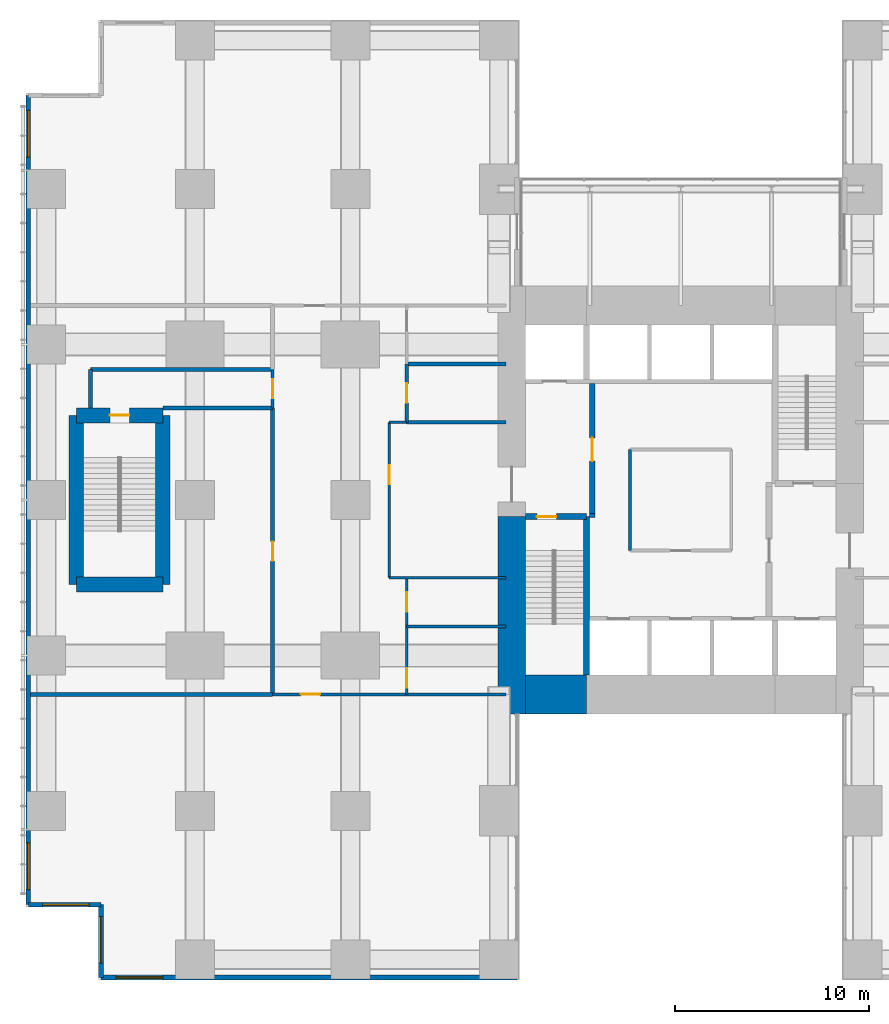
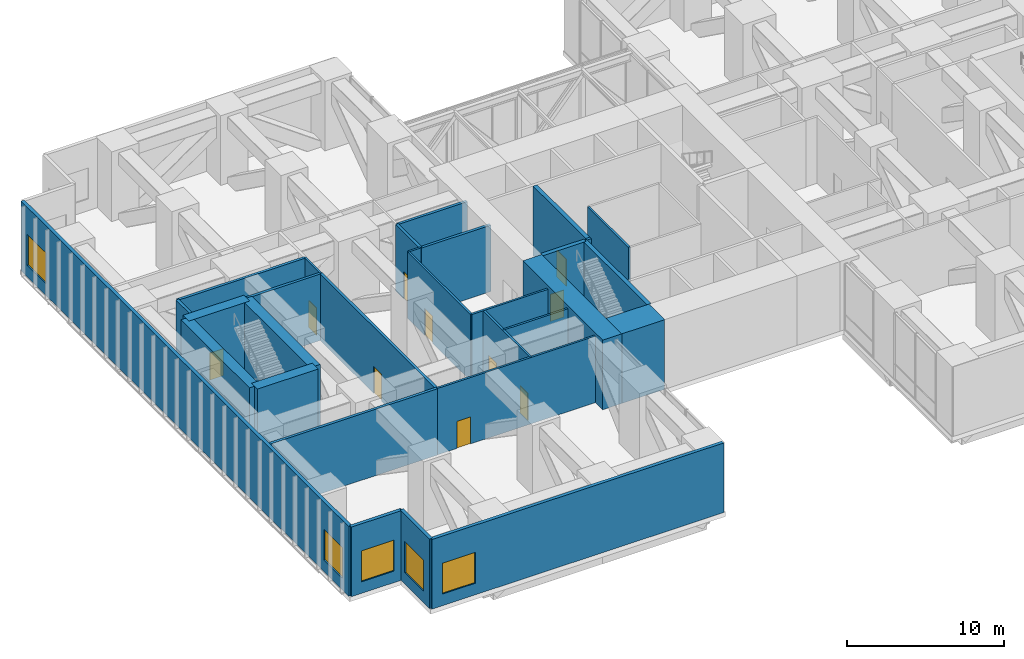
# One storey, part 13 of 17: 30 walls, 10 doors, 5 windows, 15 openings.
"""IFC4 building model written with IfcOpenShell, lengths in metres."""

from ifc_helpers import new_model, si_unit, direction, frame, frame_2d, origin, place, context, subcontext, project, spatial, rectangle, extrude, material, layer, layer_set, type_object, element, fill, save


model = new_model("IFC4")

# Units and contexts
model_context = context("Model", 3, precision=1e-05, world=origin(), true_north=direction((0.0, 1.0)))
body_context = subcontext(model_context, "Body", "Model", "MODEL_VIEW")
ifc_project = project(units=[si_unit("LENGTHUNIT", "METRE"), si_unit("AREAUNIT", "SQUARE_METRE"), si_unit("VOLUMEUNIT", "CUBIC_METRE"), si_unit("PLANEANGLEUNIT", "RADIAN"), si_unit("MASSUNIT", "GRAM", prefix="KILO")], contexts=[model_context])

# Site, building, storey
site_placement = place(None, origin())
site = spatial("IfcSite", under=ifc_project, at=site_placement, CompositionType="ELEMENT")
building_placement = place(site_placement, origin())
building = spatial("IfcBuilding", under=site, at=building_placement, Name="Cleftline Residences", CompositionType="ELEMENT")
storey_placement = place(building_placement, frame((0.0, 0.0, 90.800048828125)))
storey = spatial("IfcBuildingStorey", under=building, at=storey_placement, Name="L23", CompositionType="ELEMENT", Elevation=90.800048828125)

# Walls
ifc_material_1 = material(Name="Concrete B70", Category="concrete")
ifc_layer_1 = layer(ifc_material_1, 1.39990234375)
ifc_layer_set_1 = layer_set([ifc_layer_1], Name="CORE WALL 1400")
wall_type_1 = type_object("IfcWallType", Name="CORE WALL 1400", PredefinedType="SHEAR", material=ifc_layer_set_1)
wall_1_placement = place(storey_placement, frame((24.300048828125, 13.0, 0.0), z_axis=(0.0, 0.0, 1.0), x_axis=(0.0, 1.0, 0.0)))
element("IfcWall", 1, at=wall_1_placement, inside=storey, type_object=wall_type_1, Name="Core wall W0", PredefinedType="SHEAR", context=body_context, shape_type="SweptSolid", body=[
    extrude(rectangle(XDim=10.14990234375, YDim=1.39990234375, at=frame_2d((5.074951171875, 0.0))), origin(), (0.0, 0.0, 1.0), 5.39990234375),
])
ifc_material_2 = material(Name="Concrete B70", Category="concrete")
ifc_layer_2 = layer(ifc_material_2, 2.0)
ifc_layer_set_2 = layer_set([ifc_layer_2], Name="CORE WALL 2000")
wall_type_2 = type_object("IfcWallType", Name="CORE WALL 2000", PredefinedType="SHEAR", material=ifc_layer_set_2)
wall_2_placement = place(storey_placement, frame((25.0, 14.0, 0.0), z_axis=(0.0, 0.0, 1.0), x_axis=(1.0, 0.0, 0.0)))
element("IfcWall", 2, at=wall_2_placement, inside=storey, type_object=wall_type_2, Name="Core wall S1", PredefinedType="SHEAR", context=body_context, shape_type="SweptSolid", body=[
    extrude(rectangle(XDim=3.14990234375, YDim=2.0, at=frame_2d((1.574951171875, 0.0))), origin(), (0.0, 0.0, 1.0), 5.39990234375),
])
ifc_material_3 = material(Name="Concrete B70", Category="concrete")
ifc_layer_3 = layer(ifc_material_3, 0.300048828125)
ifc_layer_set_3 = layer_set([ifc_layer_3], Name="CORE WALL 300")
wall_type_3 = type_object("IfcWallType", Name="CORE WALL 300", PredefinedType="SHEAR", material=ifc_layer_set_3)
wall_3_placement = place(storey_placement, frame((28.14990234375, 15.0, 0.0), z_axis=(0.0, 0.0, 1.0), x_axis=(0.0, 1.0, 0.0)))
element("IfcWall", 3, at=wall_3_placement, inside=storey, type_object=wall_type_3, Name="Core wall SA-E", PredefinedType="SHEAR", context=body_context, shape_type="SweptSolid", body=[
    extrude(rectangle(XDim=8.14990234375, YDim=0.300048828125, at=frame_2d((4.074951171875, 0.0))), origin(), (0.0, 0.0, 1.0), 5.39990234375),
])

# Wall, opening, door
wall_4_placement = place(storey_placement, frame((25.0, 23.14990234375, 0.0), z_axis=(0.0, 0.0, 1.0), x_axis=(1.0, 0.0, 0.0)))
wall_4 = element("IfcWall", 4, at=wall_4_placement, inside=storey, type_object=wall_type_3, Name="Core wall SA-N", PredefinedType="SHEAR", context=body_context, shape_type="SweptSolid", body=[
    extrude(rectangle(XDim=3.14990234375, YDim=0.300048828125, at=frame_2d((1.574951171875, 0.0))), origin(), (0.0, 0.0, 1.0), 5.39990234375),
])
opening_1_placement = place(wall_4_placement, frame((0.60009765625, 0.0, 0.0)))
opening_1 = element("IfcOpeningElement", 5, at=opening_1_placement, cuts=wall_4, Name="Opening D5", PredefinedType="OPENING", context=body_context, shape_type="SweptSolid", body=[
    extrude(rectangle(XDim=1.0, YDim=2.10009765625, at=frame_2d((0.5, 1.050048828125))), frame((0.0, 0.159912109375, 0.0), z_axis=(0.0, -1.0, 0.0), x_axis=(1.0, 0.0, 0.0)), (0.0, 0.0, 1.0), 0.320068359375),
])
ifc_material_4 = material(Name="Steel", Category="steel")
door_type_1 = type_object("IfcDoorType", Name="STAIR DOOR 1000X2100", OperationType="SINGLE_SWING_LEFT", PredefinedType="DOOR", material=ifc_material_4)
door_1_placement = place(opening_1_placement, origin())
door_1 = element("IfcDoor", 6, at=door_1_placement, inside=storey, type_object=door_type_1, Name="Stair A door", OperationType="SINGLE_SWING_RIGHT", OverallHeight=2.10009765625, OverallWidth=1.0, PredefinedType="DOOR", context=body_context, shape_type="SweptSolid", body=[
    extrude(rectangle(XDim=1.0, YDim=2.10009765625, at=frame_2d((0.5, 1.050048828125))), frame((0.0, 0.02490234375, 0.0), z_axis=(0.0, -1.0, 0.0), x_axis=(1.0, 0.0, 0.0)), (0.0, 0.0, 1.0), 0.050048828125),
])
fill(opening_1, door_1)

# Wall, openings, windows
ifc_material_5 = material(Name="Rendered reinforced concrete blockwork", Category="masonry")
ifc_layer_4 = layer(ifc_material_5, 0.25)
ifc_layer_set_4 = layer_set([ifc_layer_4], Name="EXTERNAL WALL 250")
wall_type_4 = type_object("IfcWallType", Name="EXTERNAL WALL 250", PredefinedType="SOLIDWALL", material=ifc_layer_set_4)
wall_5_placement = place(storey_placement, frame((-0.574951171875, 44.824951171875, 0.0), z_axis=(0.0, 0.0, 1.0), x_axis=(0.0, -1.0, 0.0)))
wall_5 = element("IfcWall", 7, at=wall_5_placement, inside=storey, type_object=wall_type_4, Name="External wall", PredefinedType="SOLIDWALL", context=body_context, shape_type="SweptSolid", body=[
    extrude(rectangle(XDim=41.64990234375, YDim=0.25, at=frame_2d((20.824951171875, 0.0))), origin(), (0.0, 0.0, 1.0), 5.39990234375),
])
opening_2_placement = place(wall_5_placement, frame((0.77490234375, 0.0, 0.89990234375)))
opening_2 = element("IfcOpeningElement", 8, at=opening_2_placement, cuts=wall_5, Name="Opening W9", PredefinedType="OPENING", context=body_context, shape_type="SweptSolid", body=[
    extrude(rectangle(XDim=2.39990234375, YDim=2.39990234375, at=frame_2d((1.199951171875, 1.199951171875))), frame((0.0, 0.135009765625, 0.0), z_axis=(0.0, -1.0, 0.0), x_axis=(1.0, 0.0, 0.0)), (0.0, 0.0, 1.0), 0.27001953125),
])
opening_3_placement = place(wall_5_placement, frame((38.47509765625, 0.0, 0.89990234375)))
opening_3 = element("IfcOpeningElement", 9, at=opening_3_placement, cuts=wall_5, Name="Opening W9", PredefinedType="OPENING", context=body_context, shape_type="SweptSolid", body=[
    extrude(rectangle(XDim=2.39990234375, YDim=2.39990234375, at=frame_2d((1.199951171875, 1.199951171875))), frame((0.0, 0.135009765625, 0.0), z_axis=(0.0, -1.0, 0.0), x_axis=(1.0, 0.0, 0.0)), (0.0, 0.0, 1.0), 0.27001953125),
])
ifc_material_6 = material(Name="Aluminium frame, clear double glazing", Category="aluminium")
window_type = type_object("IfcWindowType", Name="WINDOW 2400X2400", PartitioningType="DOUBLE_PANEL_VERTICAL", PredefinedType="WINDOW", material=ifc_material_6)
window_1_placement = place(opening_2_placement, origin())
window_1 = element("IfcWindow", 10, at=window_1_placement, inside=storey, type_object=window_type, Name="Window", OverallHeight=2.39990234375, OverallWidth=2.39990234375, PartitioningType="SINGLE_PANEL", PredefinedType="WINDOW", context=body_context, shape_type="SweptSolid", body=[
    extrude(rectangle(XDim=2.39990234375, YDim=2.39990234375, at=frame_2d((1.199951171875, 1.199951171875))), frame((0.0, 0.030029296875, 0.0), z_axis=(0.0, -1.0, 0.0), x_axis=(1.0, 0.0, 0.0)), (0.0, 0.0, 1.0), 0.06005859375),
])
fill(opening_2, window_1)
window_2_placement = place(opening_3_placement, origin())
window_2 = element("IfcWindow", 11, at=window_2_placement, inside=storey, type_object=window_type, Name="Window", OverallHeight=2.39990234375, OverallWidth=2.39990234375, PartitioningType="SINGLE_PANEL", PredefinedType="WINDOW", context=body_context, shape_type="SweptSolid", body=[
    extrude(rectangle(XDim=2.39990234375, YDim=2.39990234375, at=frame_2d((1.199951171875, 1.199951171875))), frame((0.0, 0.030029296875, 0.0), z_axis=(0.0, -1.0, 0.0), x_axis=(1.0, 0.0, 0.0)), (0.0, 0.0, 1.0), 0.06005859375),
])
fill(opening_3, window_2)

# Wall, opening, window
wall_6_placement = place(storey_placement, frame((-0.574951171875, 3.175048828125, 0.0), z_axis=(0.0, 0.0, 1.0), x_axis=(1.0, 0.0, 0.0)))
wall_6 = element("IfcWall", 12, at=wall_6_placement, inside=storey, type_object=wall_type_4, Name="External wall", PredefinedType="SOLIDWALL", context=body_context, shape_type="SweptSolid", body=[
    extrude(rectangle(XDim=3.75, YDim=0.25, at=frame_2d((1.875, 0.0))), origin(), (0.0, 0.0, 1.0), 5.39990234375),
])
opening_4_placement = place(wall_6_placement, frame((0.737548828125, 0.0, 0.89990234375)))
opening_4 = element("IfcOpeningElement", 13, at=opening_4_placement, cuts=wall_6, Name="Opening W9", PredefinedType="OPENING", context=body_context, shape_type="SweptSolid", body=[
    extrude(rectangle(XDim=2.39990234375, YDim=2.39990234375, at=frame_2d((1.199951171875, 1.199951171875))), frame((0.0, 0.135009765625, 0.0), z_axis=(0.0, -1.0, 0.0), x_axis=(1.0, 0.0, 0.0)), (0.0, 0.0, 1.0), 0.27001953125),
])
window_3_placement = place(opening_4_placement, origin())
window_3 = element("IfcWindow", 14, at=window_3_placement, inside=storey, type_object=window_type, Name="Window", OverallHeight=2.39990234375, OverallWidth=2.39990234375, PartitioningType="SINGLE_PANEL", PredefinedType="WINDOW", context=body_context, shape_type="SweptSolid", body=[
    extrude(rectangle(XDim=2.39990234375, YDim=2.39990234375, at=frame_2d((1.199951171875, 1.199951171875))), frame((0.0, 0.030029296875, 0.0), z_axis=(0.0, -1.0, 0.0), x_axis=(1.0, 0.0, 0.0)), (0.0, 0.0, 1.0), 0.06005859375),
])
fill(opening_4, window_3)

wall_7_placement = place(storey_placement, frame((3.175048828125, 3.175048828125, 0.0), z_axis=(0.0, 0.0, 1.0), x_axis=(0.0, -1.0, 0.0)))
wall_7 = element("IfcWall", 15, at=wall_7_placement, inside=storey, type_object=wall_type_4, Name="External wall", PredefinedType="SOLIDWALL", context=body_context, shape_type="SweptSolid", body=[
    extrude(rectangle(XDim=3.75, YDim=0.25, at=frame_2d((1.875, 0.0))), origin(), (0.0, 0.0, 1.0), 5.39990234375),
])
opening_5_placement = place(wall_7_placement, frame((0.612548828125, 0.0, 0.89990234375)))
opening_5 = element("IfcOpeningElement", 16, at=opening_5_placement, cuts=wall_7, Name="Opening W9", PredefinedType="OPENING", context=body_context, shape_type="SweptSolid", body=[
    extrude(rectangle(XDim=2.39990234375, YDim=2.39990234375, at=frame_2d((1.199951171875, 1.199951171875))), frame((0.0, 0.135009765625, 0.0), z_axis=(0.0, -1.0, 0.0), x_axis=(1.0, 0.0, 0.0)), (0.0, 0.0, 1.0), 0.27001953125),
])
window_4_placement = place(opening_5_placement, origin())
window_4 = element("IfcWindow", 17, at=window_4_placement, inside=storey, type_object=window_type, Name="Window", OverallHeight=2.39990234375, OverallWidth=2.39990234375, PartitioningType="SINGLE_PANEL", PredefinedType="WINDOW", context=body_context, shape_type="SweptSolid", body=[
    extrude(rectangle(XDim=2.39990234375, YDim=2.39990234375, at=frame_2d((1.199951171875, 1.199951171875))), frame((0.0, 0.030029296875, 0.0), z_axis=(0.0, -1.0, 0.0), x_axis=(1.0, 0.0, 0.0)), (0.0, 0.0, 1.0), 0.06005859375),
])
fill(opening_5, window_4)

wall_8_placement = place(storey_placement, frame((3.175048828125, -0.574951171875, 0.0), z_axis=(0.0, 0.0, 1.0), x_axis=(1.0, 0.0, 0.0)))
wall_8 = element("IfcWall", 18, at=wall_8_placement, inside=storey, type_object=wall_type_4, Name="External wall", PredefinedType="SOLIDWALL", context=body_context, shape_type="SweptSolid", body=[
    extrude(rectangle(XDim=21.39990234375, YDim=0.25, at=frame_2d((10.699951171875, 0.0))), origin(), (0.0, 0.0, 1.0), 5.39990234375),
])
opening_6_placement = place(wall_8_placement, frame((0.77490234375, 0.0, 0.89990234375)))
opening_6 = element("IfcOpeningElement", 19, at=opening_6_placement, cuts=wall_8, Name="Opening W9", PredefinedType="OPENING", context=body_context, shape_type="SweptSolid", body=[
    extrude(rectangle(XDim=2.39990234375, YDim=2.39990234375, at=frame_2d((1.199951171875, 1.199951171875))), frame((0.0, 0.135009765625, 0.0), z_axis=(0.0, -1.0, 0.0), x_axis=(1.0, 0.0, 0.0)), (0.0, 0.0, 1.0), 0.27001953125),
])
window_5_placement = place(opening_6_placement, origin())
window_5 = element("IfcWindow", 20, at=window_5_placement, inside=storey, type_object=window_type, Name="Window", OverallHeight=2.39990234375, OverallWidth=2.39990234375, PartitioningType="SINGLE_PANEL", PredefinedType="WINDOW", context=body_context, shape_type="SweptSolid", body=[
    extrude(rectangle(XDim=2.39990234375, YDim=2.39990234375, at=frame_2d((1.199951171875, 1.199951171875))), frame((0.0, 0.030029296875, 0.0), z_axis=(0.0, -1.0, 0.0), x_axis=(1.0, 0.0, 0.0)), (0.0, 0.0, 1.0), 0.06005859375),
])
fill(opening_6, window_5)

# Walls
ifc_material_7 = material(Name="Concrete blockwork, fire rated", Category="masonry")
ifc_layer_5 = layer(ifc_material_7, 0.199951171875)
ifc_layer_set_5 = layer_set([ifc_layer_5], Name="FIRE WALL 200")
wall_type_5 = type_object("IfcWallType", Name="FIRE WALL 200", PredefinedType="PARTITIONING", material=ifc_layer_set_5)
wall_9_placement = place(storey_placement, frame((-0.449951171875, 14.0, 0.0), z_axis=(0.0, 0.0, 1.0), x_axis=(1.0, 0.0, 0.0)))
element("IfcWall", 21, at=wall_9_placement, inside=storey, type_object=wall_type_5, Name="Fire separating wall", PredefinedType="PARTITIONING", context=body_context, shape_type="SweptSolid", body=[
    extrude(rectangle(XDim=12.449951171875, YDim=0.199951171875, at=frame_2d((6.22509765625, 0.0))), origin(), (0.0, 0.0, 1.0), 5.14990234375),
])
wall_10_placement = place(storey_placement, frame((18.89990234375, 28.0, 0.0), z_axis=(0.0, 0.0, 1.0), x_axis=(1.0, 0.0, 0.0)))
element("IfcWall", 22, at=wall_10_placement, inside=storey, type_object=wall_type_5, Name="Fire separating wall", PredefinedType="PARTITIONING", context=body_context, shape_type="SweptSolid", body=[
    extrude(rectangle(XDim=5.10009765625, YDim=0.199951171875, at=frame_2d((2.550048828125, 0.0))), origin(), (0.0, 0.0, 1.0), 5.14990234375),
])
wall_11_placement = place(storey_placement, frame((6.35009765625, 28.72509765625, 0.0), z_axis=(0.0, 0.0, 1.0), x_axis=(1.0, 0.0, 0.0)))
element("IfcWall", 23, at=wall_11_placement, inside=storey, type_object=wall_type_5, Name="Fire separating wall", PredefinedType="PARTITIONING", context=body_context, shape_type="SweptSolid", body=[
    extrude(rectangle(XDim=5.64990234375, YDim=0.199951171875, at=frame_2d((2.824951171875, 0.0))), origin(), (0.0, 0.0, 1.0), 5.14990234375),
])
wall_12_placement = place(storey_placement, frame((2.625, 30.72509765625, 0.0), z_axis=(0.0, 0.0, 1.0), x_axis=(1.0, 0.0, 0.0)))
element("IfcWall", 24, at=wall_12_placement, inside=storey, type_object=wall_type_5, Name="Fire separating wall", PredefinedType="PARTITIONING", context=body_context, shape_type="SweptSolid", body=[
    extrude(rectangle(XDim=9.375, YDim=0.199951171875, at=frame_2d((4.6875, 0.0))), origin(), (0.0, 0.0, 1.0), 5.14990234375),
])
wall_13_placement = place(storey_placement, frame((18.89990234375, 31.0, 0.0), z_axis=(0.0, 0.0, 1.0), x_axis=(1.0, 0.0, 0.0)))
element("IfcWall", 25, at=wall_13_placement, inside=storey, type_object=wall_type_5, Name="Fire separating wall", PredefinedType="PARTITIONING", context=body_context, shape_type="SweptSolid", body=[
    extrude(rectangle(XDim=5.10009765625, YDim=0.199951171875, at=frame_2d((2.550048828125, 0.0))), origin(), (0.0, 0.0, 1.0), 5.14990234375),
])
wall_14_placement = place(storey_placement, frame((2.625, 28.72509765625, 0.0), z_axis=(0.0, 0.0, 1.0), x_axis=(0.0, 1.0, 0.0)))
element("IfcWall", 26, at=wall_14_placement, inside=storey, type_object=wall_type_5, Name="Fire separating wall", PredefinedType="PARTITIONING", context=body_context, shape_type="SweptSolid", body=[
    extrude(rectangle(XDim=2.0, YDim=0.199951171875, at=frame_2d((1.0, 0.0))), origin(), (0.0, 0.0, 1.0), 5.14990234375),
])

# Wall, opening, door
wall_15_placement = place(storey_placement, frame((12.0, 14.0, 0.0), z_axis=(0.0, 0.0, 1.0), x_axis=(0.0, 1.0, 0.0)))
wall_15 = element("IfcWall", 27, at=wall_15_placement, inside=storey, type_object=wall_type_5, Name="Fire separating wall", PredefinedType="PARTITIONING", context=body_context, shape_type="SweptSolid", body=[
    extrude(rectangle(XDim=14.72509765625, YDim=0.199951171875, at=frame_2d((7.362548828125, 0.0))), origin(), (0.0, 0.0, 1.0), 5.14990234375),
])
opening_7_placement = place(wall_15_placement, frame((6.862548828125, 0.0, 0.0)))
opening_7 = element("IfcOpeningElement", 28, at=opening_7_placement, cuts=wall_15, Name="Opening D2F60", PredefinedType="OPENING", context=body_context, shape_type="SweptSolid", body=[
    extrude(rectangle(XDim=1.0, YDim=2.10009765625, at=frame_2d((0.5, 1.050048828125))), frame((0.0, 0.10986328125, 0.0), z_axis=(0.0, -1.0, 0.0), x_axis=(1.0, 0.0, 0.0)), (0.0, 0.0, 1.0), 0.219970703125),
])
ifc_material_8 = material(Name="Timber veneer on solid core", Category="wood")
door_type_2 = type_object("IfcDoorType", Name="DOOR 1000X2100 EI 60", OperationType="SINGLE_SWING_LEFT", PredefinedType="DOOR", material=ifc_material_8)
door_2_placement = place(opening_7_placement, origin())
door_2 = element("IfcDoor", 29, at=door_2_placement, inside=storey, type_object=door_type_2, Name="Door to mechanical plant room", OperationType="SINGLE_SWING_LEFT", OverallHeight=2.10009765625, OverallWidth=1.0, PredefinedType="DOOR", context=body_context, shape_type="SweptSolid", body=[
    extrude(rectangle(XDim=1.0, YDim=2.10009765625, at=frame_2d((0.5, 1.050048828125))), frame((0.0, 0.02490234375, 0.0), z_axis=(0.0, -1.0, 0.0), x_axis=(1.0, 0.0, 0.0)), (0.0, 0.0, 1.0), 0.050048828125),
])
fill(opening_7, door_2)

wall_16_placement = place(storey_placement, frame((18.89990234375, 28.0, 0.0), z_axis=(0.0, 0.0, 1.0), x_axis=(0.0, 1.0, 0.0)))
wall_16 = element("IfcWall", 30, at=wall_16_placement, inside=storey, type_object=wall_type_5, Name="Fire separating wall", PredefinedType="PARTITIONING", context=body_context, shape_type="SweptSolid", body=[
    extrude(rectangle(XDim=3.0, YDim=0.199951171875, at=frame_2d((1.5, 0.0))), origin(), (0.0, 0.0, 1.0), 5.14990234375),
])
opening_8_placement = place(wall_16_placement, frame((1.0, 0.0, 0.0)))
opening_8 = element("IfcOpeningElement", 31, at=opening_8_placement, cuts=wall_16, Name="Opening D2F60", PredefinedType="OPENING", context=body_context, shape_type="SweptSolid", body=[
    extrude(rectangle(XDim=1.0, YDim=2.10009765625, at=frame_2d((0.5, 1.050048828125))), frame((0.0, 0.10986328125, 0.0), z_axis=(0.0, -1.0, 0.0), x_axis=(1.0, 0.0, 0.0)), (0.0, 0.0, 1.0), 0.219970703125),
])
door_3_placement = place(opening_8_placement, origin())
door_3 = element("IfcDoor", 32, at=door_3_placement, inside=storey, type_object=door_type_2, Name="Door to water tank room", OperationType="SINGLE_SWING_LEFT", OverallHeight=2.10009765625, OverallWidth=1.0, PredefinedType="DOOR", context=body_context, shape_type="SweptSolid", body=[
    extrude(rectangle(XDim=1.0, YDim=2.10009765625, at=frame_2d((0.5, 1.050048828125))), frame((0.0, 0.02490234375, 0.0), z_axis=(0.0, -1.0, 0.0), x_axis=(1.0, 0.0, 0.0)), (0.0, 0.0, 1.0), 0.050048828125),
])
fill(opening_8, door_3)

# Wall
wall_17_placement = place(storey_placement, frame((28.300048828125, 23.199951171875, 0.0), z_axis=(0.0, 0.0, 1.0), x_axis=(1.0, 0.0, 0.0)))
element("IfcWall", 33, at=wall_17_placement, inside=storey, type_object=wall_type_5, Name="Fire separating wall", PredefinedType="PARTITIONING", context=body_context, shape_type="SweptSolid", body=[
    extrude(rectangle(XDim=0.300048828125, YDim=0.199951171875, at=frame_2d((0.14990234375, 0.0))), origin(), (0.0, 0.0, 1.0), 5.39990234375),
])

# Wall, opening, door
ifc_material_9 = material(Name="Gypsum board on steel studs", Category="steel")
ifc_layer_6 = layer(ifc_material_9, 0.14990234375)
ifc_layer_set_6 = layer_set([ifc_layer_6], Name="PARTITION 150")
wall_type_6 = type_object("IfcWallType", Name="PARTITION 150", PredefinedType="PARTITIONING", material=ifc_layer_set_6)
wall_18_placement = place(storey_placement, frame((12.0, 14.0, 0.0), z_axis=(0.0, 0.0, 1.0), x_axis=(1.0, 0.0, 0.0)))
wall_18 = element("IfcWall", 34, at=wall_18_placement, inside=storey, type_object=wall_type_6, Name="Partition", PredefinedType="PARTITIONING", context=body_context, shape_type="SweptSolid", body=[
    extrude(rectangle(XDim=12.0, YDim=0.14990234375, at=frame_2d((6.0, 0.0))), origin(), (0.0, 0.0, 1.0), 5.14990234375),
])
opening_9_placement = place(wall_18_placement, frame((1.449951171875, 0.0, 0.0)))
opening_9 = element("IfcOpeningElement", 35, at=opening_9_placement, cuts=wall_18, Name="Opening D2F60", PredefinedType="OPENING", context=body_context, shape_type="SweptSolid", body=[
    extrude(rectangle(XDim=1.0, YDim=2.10009765625, at=frame_2d((0.5, 1.050048828125))), frame((0.0, 0.0849609375, 0.0), z_axis=(0.0, -1.0, 0.0), x_axis=(1.0, 0.0, 0.0)), (0.0, 0.0, 1.0), 0.169921875),
])
door_4_placement = place(opening_9_placement, origin())
door_4 = element("IfcDoor", 36, at=door_4_placement, inside=storey, type_object=door_type_2, Name="Door to refuge area", OperationType="SINGLE_SWING_RIGHT", OverallHeight=2.10009765625, OverallWidth=1.0, PredefinedType="DOOR", context=body_context, shape_type="SweptSolid", body=[
    extrude(rectangle(XDim=1.0, YDim=2.10009765625, at=frame_2d((0.5, 1.050048828125))), frame((0.0, 0.02490234375, 0.0), z_axis=(0.0, -1.0, 0.0), x_axis=(1.0, 0.0, 0.0)), (0.0, 0.0, 1.0), 0.050048828125),
])
fill(opening_9, door_4)

# Walls
wall_19_placement = place(storey_placement, frame((18.89990234375, 17.5, 0.0), z_axis=(0.0, 0.0, 1.0), x_axis=(1.0, 0.0, 0.0)))
element("IfcWall", 37, at=wall_19_placement, inside=storey, type_object=wall_type_6, Name="Partition", PredefinedType="PARTITIONING", context=body_context, shape_type="SweptSolid", body=[
    extrude(rectangle(XDim=5.10009765625, YDim=0.14990234375, at=frame_2d((2.550048828125, 0.0))), origin(), (0.0, 0.0, 1.0), 5.14990234375),
])
wall_20_placement = place(storey_placement, frame((18.0, 20.0, 0.0), z_axis=(0.0, 0.0, 1.0), x_axis=(1.0, 0.0, 0.0)))
element("IfcWall", 38, at=wall_20_placement, inside=storey, type_object=wall_type_6, Name="Partition", PredefinedType="PARTITIONING", context=body_context, shape_type="SweptSolid", body=[
    extrude(rectangle(XDim=6.0, YDim=0.14990234375, at=frame_2d((3.0, 0.0))), origin(), (0.0, 0.0, 1.0), 5.14990234375),
])
wall_21_placement = place(storey_placement, frame((18.0, 28.0, 0.0), z_axis=(0.0, 0.0, 1.0), x_axis=(1.0, 0.0, 0.0)))
element("IfcWall", 39, at=wall_21_placement, inside=storey, type_object=wall_type_6, Name="Partition", PredefinedType="PARTITIONING", context=body_context, shape_type="SweptSolid", body=[
    extrude(rectangle(XDim=0.89990234375, YDim=0.14990234375, at=frame_2d((0.449951171875, 0.0))), origin(), (0.0, 0.0, 1.0), 5.14990234375),
])

# Wall, opening, door
wall_22_placement = place(storey_placement, frame((12.0, 28.72509765625, 0.0), z_axis=(0.0, 0.0, 1.0), x_axis=(0.0, 1.0, 0.0)))
wall_22 = element("IfcWall", 40, at=wall_22_placement, inside=storey, type_object=wall_type_6, Name="Partition", PredefinedType="PARTITIONING", context=body_context, shape_type="SweptSolid", body=[
    extrude(rectangle(XDim=2.0, YDim=0.14990234375, at=frame_2d((1.0, 0.0))), origin(), (0.0, 0.0, 1.0), 5.14990234375),
])
opening_10_placement = place(wall_22_placement, frame((0.5, 0.0, 0.0)))
opening_10 = element("IfcOpeningElement", 41, at=opening_10_placement, cuts=wall_22, Name="Opening D2F30", PredefinedType="OPENING", context=body_context, shape_type="SweptSolid", body=[
    extrude(rectangle(XDim=1.0, YDim=2.10009765625, at=frame_2d((0.5, 1.050048828125))), frame((0.0, 0.0849609375, 0.0), z_axis=(0.0, -1.0, 0.0), x_axis=(1.0, 0.0, 0.0)), (0.0, 0.0, 1.0), 0.169921875),
])
ifc_material_10 = material(Name="Timber veneer on solid core", Category="wood")
door_type_3 = type_object("IfcDoorType", Name="DOOR 1000X2100 EI 30", OperationType="SINGLE_SWING_LEFT", PredefinedType="DOOR", material=ifc_material_10)
door_5_placement = place(opening_10_placement, origin())
door_5 = element("IfcDoor", 42, at=door_5_placement, inside=storey, type_object=door_type_3, Name="Door to stair lobby", OperationType="SINGLE_SWING_LEFT", OverallHeight=2.10009765625, OverallWidth=1.0, PredefinedType="DOOR", context=body_context, shape_type="SweptSolid", body=[
    extrude(rectangle(XDim=1.0, YDim=2.10009765625, at=frame_2d((0.5, 1.050048828125))), frame((0.0, 0.02490234375, 0.0), z_axis=(0.0, -1.0, 0.0), x_axis=(1.0, 0.0, 0.0)), (0.0, 0.0, 1.0), 0.050048828125),
])
fill(opening_10, door_5)

wall_23_placement = place(storey_placement, frame((18.0, 20.0, 0.0), z_axis=(0.0, 0.0, 1.0), x_axis=(0.0, 1.0, 0.0)))
wall_23 = element("IfcWall", 43, at=wall_23_placement, inside=storey, type_object=wall_type_6, Name="Partition", PredefinedType="PARTITIONING", context=body_context, shape_type="SweptSolid", body=[
    extrude(rectangle(XDim=8.0, YDim=0.14990234375, at=frame_2d((4.0, 0.0))), origin(), (0.0, 0.0, 1.0), 5.14990234375),
])
opening_11_placement = place(wall_23_placement, frame((4.800048828125, 0.0, 0.0)))
opening_11 = element("IfcOpeningElement", 44, at=opening_11_placement, cuts=wall_23, Name="Opening D2F30", PredefinedType="OPENING", context=body_context, shape_type="SweptSolid", body=[
    extrude(rectangle(XDim=1.0, YDim=2.10009765625, at=frame_2d((0.5, 1.050048828125))), frame((0.0, 0.0849609375, 0.0), z_axis=(0.0, -1.0, 0.0), x_axis=(1.0, 0.0, 0.0)), (0.0, 0.0, 1.0), 0.169921875),
])
door_6_placement = place(opening_11_placement, origin())
door_6 = element("IfcDoor", 45, at=door_6_placement, inside=storey, type_object=door_type_3, Name="Door to corridor", OperationType="SINGLE_SWING_LEFT", OverallHeight=2.10009765625, OverallWidth=1.0, PredefinedType="DOOR", context=body_context, shape_type="SweptSolid", body=[
    extrude(rectangle(XDim=1.0, YDim=2.10009765625, at=frame_2d((0.5, 1.050048828125))), frame((0.0, 0.02490234375, 0.0), z_axis=(0.0, -1.0, 0.0), x_axis=(1.0, 0.0, 0.0)), (0.0, 0.0, 1.0), 0.050048828125),
])
fill(opening_11, door_6)

# Wall, openings, doors
wall_24_placement = place(storey_placement, frame((18.89990234375, 14.0, 0.0), z_axis=(0.0, 0.0, 1.0), x_axis=(0.0, 1.0, 0.0)))
wall_24 = element("IfcWall", 46, at=wall_24_placement, inside=storey, type_object=wall_type_6, Name="Partition", PredefinedType="PARTITIONING", context=body_context, shape_type="SweptSolid", body=[
    extrude(rectangle(XDim=6.0, YDim=0.14990234375, at=frame_2d((3.0, 0.0))), origin(), (0.0, 0.0, 1.0), 5.14990234375),
])
opening_12_placement = place(wall_24_placement, frame((0.35009765625, 0.0, 0.0)))
opening_12 = element("IfcOpeningElement", 47, at=opening_12_placement, cuts=wall_24, Name="Opening D2F60", PredefinedType="OPENING", context=body_context, shape_type="SweptSolid", body=[
    extrude(rectangle(XDim=1.0, YDim=2.10009765625, at=frame_2d((0.5, 1.050048828125))), frame((0.0, 0.0849609375, 0.0), z_axis=(0.0, -1.0, 0.0), x_axis=(1.0, 0.0, 0.0)), (0.0, 0.0, 1.0), 0.169921875),
])
opening_13_placement = place(wall_24_placement, frame((4.25, 0.0, 0.0)))
opening_13 = element("IfcOpeningElement", 48, at=opening_13_placement, cuts=wall_24, Name="Opening D2F60", PredefinedType="OPENING", context=body_context, shape_type="SweptSolid", body=[
    extrude(rectangle(XDim=1.0, YDim=2.10009765625, at=frame_2d((0.5, 1.050048828125))), frame((0.0, 0.0849609375, 0.0), z_axis=(0.0, -1.0, 0.0), x_axis=(1.0, 0.0, 0.0)), (0.0, 0.0, 1.0), 0.169921875),
])
door_7_placement = place(opening_12_placement, origin())
door_7 = element("IfcDoor", 49, at=door_7_placement, inside=storey, type_object=door_type_2, Name="Door to electrical room", OperationType="SINGLE_SWING_RIGHT", OverallHeight=2.10009765625, OverallWidth=1.0, PredefinedType="DOOR", context=body_context, shape_type="SweptSolid", body=[
    extrude(rectangle(XDim=1.0, YDim=2.10009765625, at=frame_2d((0.5, 1.050048828125))), frame((0.0, 0.02490234375, 0.0), z_axis=(0.0, -1.0, 0.0), x_axis=(1.0, 0.0, 0.0)), (0.0, 0.0, 1.0), 0.050048828125),
])
fill(opening_12, door_7)
door_8_placement = place(opening_13_placement, origin())
door_8 = element("IfcDoor", 50, at=door_8_placement, inside=storey, type_object=door_type_2, Name="Door to fire pump room", OperationType="SINGLE_SWING_LEFT", OverallHeight=2.10009765625, OverallWidth=1.0, PredefinedType="DOOR", context=body_context, shape_type="SweptSolid", body=[
    extrude(rectangle(XDim=1.0, YDim=2.10009765625, at=frame_2d((0.5, 1.050048828125))), frame((0.0, 0.02490234375, 0.0), z_axis=(0.0, -1.0, 0.0), x_axis=(1.0, 0.0, 0.0)), (0.0, 0.0, 1.0), 0.050048828125),
])
fill(opening_13, door_8)

# Walls
ifc_material_11 = material(Name="Fire-resisting gypsum board on steel studs", Category="steel")
ifc_layer_7 = layer(ifc_material_11, 0.14990234375)
ifc_layer_set_7 = layer_set([ifc_layer_7], Name="PARTITION 150 EI 60")
wall_type_7 = type_object("IfcWallType", Name="PARTITION 150 EI 60", PredefinedType="PARTITIONING", material=ifc_layer_set_7)
wall_25_placement = place(storey_placement, frame((30.39990234375, 21.39990234375, 0.0), z_axis=(0.0, 0.0, 1.0), x_axis=(0.0, 1.0, 0.0)))
element("IfcWall", 51, at=wall_25_placement, inside=storey, type_object=wall_type_7, Name="Core room partition", PredefinedType="PARTITIONING", context=body_context, shape_type="SweptSolid", body=[
    extrude(rectangle(XDim=5.2001953125, YDim=0.14990234375, at=frame_2d((2.60009765625, 0.0))), origin(), (0.0, 0.0, 1.0), 5.14990234375),
])
ifc_material_12 = material(Name="Concrete B70", Category="concrete")
ifc_layer_8 = layer(ifc_material_12, 0.75)
ifc_layer_set_8 = layer_set([ifc_layer_8], Name="SHEAR WALL 750")
wall_type_8 = type_object("IfcWallType", Name="SHEAR WALL 750", PredefinedType="SHEAR", material=ifc_layer_set_8)
wall_26_placement = place(storey_placement, frame((1.89990234375, 19.64990234375, 0.0), z_axis=(0.0, 0.0, 1.0), x_axis=(1.0, 0.0, 0.0)))
element("IfcWall", 52, at=wall_26_placement, inside=storey, type_object=wall_type_8, Name="Wing shear wall", PredefinedType="SHEAR", context=body_context, shape_type="SweptSolid", body=[
    extrude(rectangle(XDim=4.4501953125, YDim=0.75, at=frame_2d((2.22509765625, 0.0))), origin(), (0.0, 0.0, 1.0), 5.39990234375),
])
wall_27_placement = place(storey_placement, frame((6.35009765625, 19.64990234375, 0.0), z_axis=(0.0, 0.0, 1.0), x_axis=(0.0, 1.0, 0.0)))
element("IfcWall", 53, at=wall_27_placement, inside=storey, type_object=wall_type_8, Name="Wing shear wall", PredefinedType="SHEAR", context=body_context, shape_type="SweptSolid", body=[
    extrude(rectangle(XDim=8.7001953125, YDim=0.75, at=frame_2d((4.35009765625, 0.0))), origin(), (0.0, 0.0, 1.0), 5.39990234375),
])

# Wall, opening, door
wall_28_placement = place(storey_placement, frame((6.35009765625, 28.35009765625, 0.0), z_axis=(0.0, 0.0, 1.0), x_axis=(-1.0, 0.0, 0.0)))
wall_28 = element("IfcWall", 54, at=wall_28_placement, inside=storey, type_object=wall_type_8, Name="Wing shear wall", PredefinedType="SHEAR", context=body_context, shape_type="SweptSolid", body=[
    extrude(rectangle(XDim=4.4501953125, YDim=0.75, at=frame_2d((2.22509765625, 0.0))), origin(), (0.0, 0.0, 1.0), 5.39990234375),
])
opening_14_placement = place(wall_28_placement, frame((1.72509765625, 0.0, 0.0)))
opening_14 = element("IfcOpeningElement", 55, at=opening_14_placement, cuts=wall_28, Name="Opening D5", PredefinedType="OPENING", context=body_context, shape_type="SweptSolid", body=[
    extrude(rectangle(XDim=1.0, YDim=2.10009765625, at=frame_2d((0.5, 1.050048828125))), frame((0.0, 0.385009765625, 0.0), z_axis=(0.0, -1.0, 0.0), x_axis=(1.0, 0.0, 0.0)), (0.0, 0.0, 1.0), 0.77001953125),
])
door_9_placement = place(opening_14_placement, origin())
door_9 = element("IfcDoor", 56, at=door_9_placement, inside=storey, type_object=door_type_1, Name="Stair W door", OperationType="SINGLE_SWING_LEFT", OverallHeight=2.10009765625, OverallWidth=1.0, PredefinedType="DOOR", context=body_context, shape_type="SweptSolid", body=[
    extrude(rectangle(XDim=1.0, YDim=2.10009765625, at=frame_2d((0.5, 1.050048828125))), frame((0.0, 0.02490234375, 0.0), z_axis=(0.0, -1.0, 0.0), x_axis=(1.0, 0.0, 0.0)), (0.0, 0.0, 1.0), 0.050048828125),
])
fill(opening_14, door_9)

# Wall
wall_29_placement = place(storey_placement, frame((1.89990234375, 28.35009765625, 0.0), z_axis=(0.0, 0.0, 1.0), x_axis=(0.0, -1.0, 0.0)))
element("IfcWall", 57, at=wall_29_placement, inside=storey, type_object=wall_type_8, Name="Wing shear wall", PredefinedType="SHEAR", context=body_context, shape_type="SweptSolid", body=[
    extrude(rectangle(XDim=8.7001953125, YDim=0.75, at=frame_2d((4.35009765625, 0.0))), origin(), (0.0, 0.0, 1.0), 5.39990234375),
])

# Wall, opening, door
ifc_material_13 = material(Name="Concrete blockwork, fire rated", Category="masonry")
ifc_layer_9 = layer(ifc_material_13, 0.300048828125)
ifc_layer_set_9 = layer_set([ifc_layer_9], Name="STAIR LOBBY WALL 300")
wall_type_9 = type_object("IfcWallType", Name="STAIR LOBBY WALL 300", PredefinedType="PARTITIONING", material=ifc_layer_set_9)
wall_30_placement = place(storey_placement, frame((28.449951171875, 23.300048828125, 0.0), z_axis=(0.0, 0.0, 1.0), x_axis=(0.0, 1.0, 0.0)))
wall_30 = element("IfcWall", 58, at=wall_30_placement, inside=storey, type_object=wall_type_9, Name="Stair and lobby wall FA-E", PredefinedType="PARTITIONING", context=body_context, shape_type="SweptSolid", body=[
    extrude(rectangle(XDim=6.699951171875, YDim=0.300048828125, at=frame_2d((3.35009765625, 0.0))), origin(), (0.0, 0.0, 1.0), 5.39990234375),
])
opening_15_placement = place(wall_30_placement, frame((2.699951171875, 0.0, 0.0)))
opening_15 = element("IfcOpeningElement", 59, at=opening_15_placement, cuts=wall_30, Name="Opening D6", PredefinedType="OPENING", context=body_context, shape_type="SweptSolid", body=[
    extrude(rectangle(XDim=1.199951171875, YDim=2.10009765625, at=frame_2d((0.60009765625, 1.050048828125))), frame((0.0, 0.159912109375, 0.0), z_axis=(0.0, -1.0, 0.0), x_axis=(1.0, 0.0, 0.0)), (0.0, 0.0, 1.0), 0.320068359375),
])
ifc_material_14 = material(Name="Steel", Category="steel")
door_type_4 = type_object("IfcDoorType", Name="LOBBY DOOR 1200X2100", OperationType="SINGLE_SWING_RIGHT", PredefinedType="DOOR", material=ifc_material_14)
door_10_placement = place(opening_15_placement, origin())
door_10 = element("IfcDoor", 60, at=door_10_placement, inside=storey, type_object=door_type_4, Name="Firefighting lobby A door", OperationType="SINGLE_SWING_RIGHT", OverallHeight=2.10009765625, OverallWidth=1.199951171875, PredefinedType="DOOR", context=body_context, shape_type="SweptSolid", body=[
    extrude(rectangle(XDim=1.199951171875, YDim=2.10009765625, at=frame_2d((0.60009765625, 1.050048828125))), frame((0.0, 0.02490234375, 0.0), z_axis=(0.0, -1.0, 0.0), x_axis=(1.0, 0.0, 0.0)), (0.0, 0.0, 1.0), 0.050048828125),
])
fill(opening_15, door_10)

save(model, "model.ifc")
